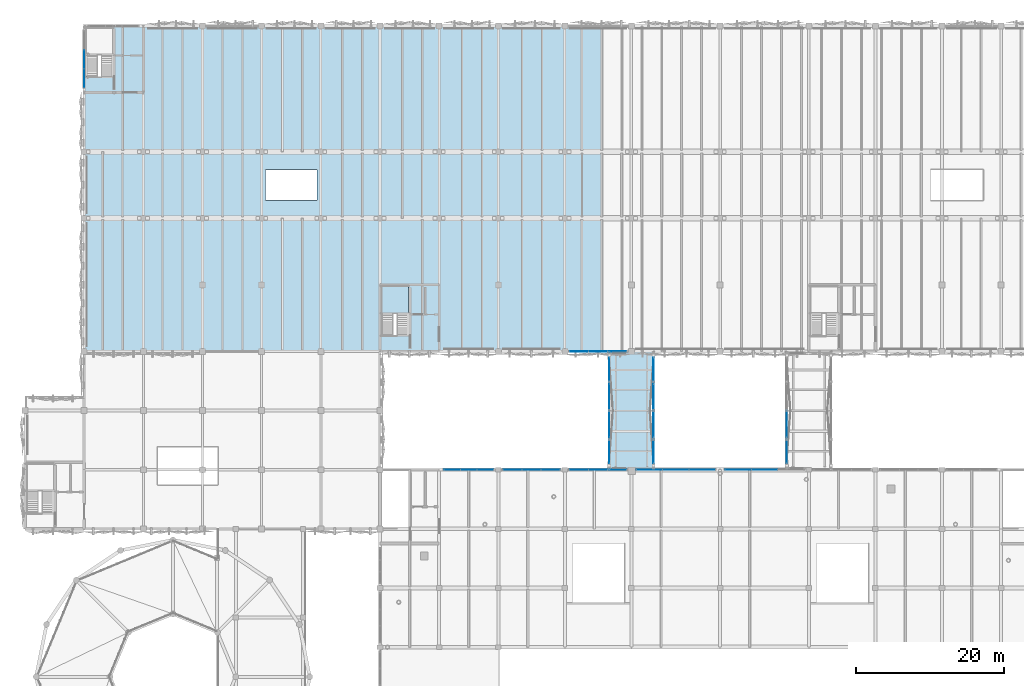
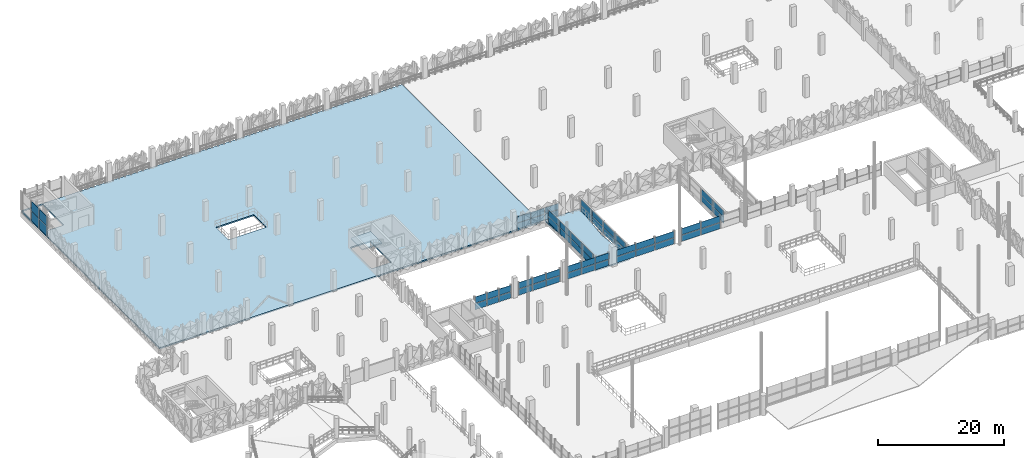
# One storey, part 62 of 123: 58 plates, 3 slabs, 11 elements without a shape of their own.
"""IFC4 building model written with IfcOpenShell, lengths in metres."""

from ifc_helpers import new_model, si_unit, derived_unit, direction, frame, origin, origin_2d, place, context, subcontext, project, spatial, polyline, rectangle, outline, extrude, material, layer, layer_set, type_object, element, aggregate, save


model = new_model("IFC4")

# Units and contexts
model_context = context("Model", 3, precision=1e-05, world=origin(), true_north=direction((0.0, 1.0)))
body_context = subcontext(model_context, "Body", "Model", "MODEL_VIEW")
ifc_project = project(units=[si_unit("LENGTHUNIT", "METRE"), si_unit("AREAUNIT", "SQUARE_METRE"), si_unit("VOLUMEUNIT", "CUBIC_METRE"), si_unit("PLANEANGLEUNIT", "RADIAN"), si_unit("MASSUNIT", "GRAM", prefix="KILO"), si_unit("THERMODYNAMICTEMPERATUREUNIT", "KELVIN"), derived_unit("THERMALTRANSMITTANCEUNIT", [(si_unit("POWERUNIT", "WATT"), 1), (si_unit("AREAUNIT", "SQUARE_METRE"), -1), (si_unit("THERMODYNAMICTEMPERATUREUNIT", "KELVIN"), -1)])], contexts=[model_context])

# Site, building, storey
site_placement = place(None, origin())
site = spatial("IfcSite", under=ifc_project, at=site_placement, CompositionType="ELEMENT")
building_placement = place(site_placement, origin())
building = spatial("IfcBuilding", under=site, at=building_placement, Name="Haiyu Intermodal Mobility Hub", CompositionType="ELEMENT")
storey_placement = place(building_placement, frame((0.0, 0.0, 5.60009765625)))
storey = spatial("IfcBuildingStorey", under=building, at=storey_placement, Name="L01", CompositionType="ELEMENT", Elevation=5.60009765625)

# Curtain wall, plates
ifc_material_1 = material(Name="Low-e laminated insulating glass", Category="glass")
ifc_layer_1 = layer(ifc_material_1, 0.25)
ifc_layer_set_1 = layer_set([ifc_layer_1], Name="Low-e laminated insulating glass")
curtain_wall_type_1 = type_object("IfcCurtainWallType", Name="CW-CW02", PredefinedType="NOTDEFINED", material=ifc_layer_set_1)
curtain_wall_1_placement = place(storey_placement, origin())
curtain_wall_1 = element("IfcCurtainWall", 1, at=curtain_wall_1_placement, inside=storey, type_object=curtain_wall_type_1, Name="Curtain Wall CW-V1N-L01-023", PredefinedType="NOTDEFINED")
ifc_layer_2 = layer(ifc_material_1, 0.035888671875)
ifc_layer_set_2 = layer_set([ifc_layer_2], Name="Low-e laminated insulating glass")
plate_type_1 = type_object("IfcPlateType", Name="PLT-CP01", PredefinedType="CURTAIN_PANEL", material=ifc_layer_set_2)
plate_1_placement = place(storey_placement, frame((85.06005859375, 88.0, 0.035400390625), z_axis=(0.0, 0.0, 1.0), x_axis=(-1.0, 0.0, 0.0)))
plate_1 = element("IfcPlate", 2, at=plate_1_placement, type_object=plate_type_1, Name="CW-V1N-L01-023-PN01", PredefinedType="CURTAIN_PANEL", context=body_context, shape_type="SweptSolid", body=[
    extrude(rectangle(XDim=2.469970703125, YDim=0.035888671875, at=origin_2d()), origin(), (0.0, 0.0, 1.0), 1.205078125),
])
plate_2_placement = place(storey_placement, frame((82.5, 88.0, 0.035400390625), z_axis=(0.0, 0.0, 1.0), x_axis=(-1.0, 0.0, 0.0)))
plate_2 = element("IfcPlate", 3, at=plate_2_placement, type_object=plate_type_1, Name="CW-V1N-L01-023-PN03", PredefinedType="CURTAIN_PANEL", context=body_context, shape_type="SweptSolid", body=[
    extrude(rectangle(XDim=2.469970703125, YDim=0.035888671875, at=origin_2d()), origin(), (0.0, 0.0, 1.0), 1.205078125),
])
plate_3_placement = place(storey_placement, frame((79.93994140625, 88.0, 0.035400390625), z_axis=(0.0, 0.0, 1.0), x_axis=(-1.0, 0.0, 0.0)))
plate_3 = element("IfcPlate", 4, at=plate_3_placement, type_object=plate_type_1, Name="CW-V1N-L01-023-PN05", PredefinedType="CURTAIN_PANEL", context=body_context, shape_type="SweptSolid", body=[
    extrude(rectangle(XDim=2.469970703125, YDim=0.035888671875, at=origin_2d()), origin(), (0.0, 0.0, 1.0), 1.205078125),
])

curtain_wall_2_placement = place(storey_placement, origin())
curtain_wall_2 = element("IfcCurtainWall", 5, at=curtain_wall_2_placement, inside=storey, type_object=curtain_wall_type_1, Name="Curtain Wall CW-V1N-L01-024", PredefinedType="NOTDEFINED")
plate_4_placement = place(storey_placement, frame((94.06005859375, 88.0, 0.035400390625), z_axis=(0.0, 0.0, 1.0), x_axis=(-1.0, 0.0, 0.0)))
plate_4 = element("IfcPlate", 6, at=plate_4_placement, type_object=plate_type_1, Name="CW-V1N-L01-024-PN01", PredefinedType="CURTAIN_PANEL", context=body_context, shape_type="SweptSolid", body=[
    extrude(rectangle(XDim=2.469970703125, YDim=0.035888671875, at=origin_2d()), origin(), (0.0, 0.0, 1.0), 1.205078125),
])
plate_5_placement = place(storey_placement, frame((91.5, 88.0, 0.035400390625), z_axis=(0.0, 0.0, 1.0), x_axis=(-1.0, 0.0, 0.0)))
plate_5 = element("IfcPlate", 7, at=plate_5_placement, type_object=plate_type_1, Name="CW-V1N-L01-024-PN03", PredefinedType="CURTAIN_PANEL", context=body_context, shape_type="SweptSolid", body=[
    extrude(rectangle(XDim=2.469970703125, YDim=0.035888671875, at=origin_2d()), origin(), (0.0, 0.0, 1.0), 1.205078125),
])
plate_6_placement = place(storey_placement, frame((88.93994140625, 88.0, 0.035400390625), z_axis=(0.0, 0.0, 1.0), x_axis=(-1.0, 0.0, 0.0)))
plate_6 = element("IfcPlate", 8, at=plate_6_placement, type_object=plate_type_1, Name="CW-V1N-L01-024-PN05", PredefinedType="CURTAIN_PANEL", context=body_context, shape_type="SweptSolid", body=[
    extrude(rectangle(XDim=2.469970703125, YDim=0.035888671875, at=origin_2d()), origin(), (0.0, 0.0, 1.0), 1.205078125),
])

curtain_wall_3_placement = place(storey_placement, origin())
curtain_wall_3 = element("IfcCurtainWall", 9, at=curtain_wall_3_placement, inside=storey, type_object=curtain_wall_type_1, Name="Curtain Wall CW-V4SC-L01-079", PredefinedType="NOTDEFINED")
plate_7_placement = place(storey_placement, frame((88.93994140625, 104.0, 0.034912109375), z_axis=(0.0, 0.0, 1.0), x_axis=(1.0, 0.0, 0.0)))
plate_7 = element("IfcPlate", 10, at=plate_7_placement, type_object=plate_type_1, Name="CW-V4SC-L01-079-PN01", PredefinedType="CURTAIN_PANEL", context=body_context, shape_type="SweptSolid", body=[
    extrude(rectangle(XDim=2.469970703125, YDim=0.035888671875, at=origin_2d()), origin(), (0.0, 0.0, 1.0), 1.169921875),
])
plate_8_placement = place(storey_placement, frame((91.5, 104.0, 0.034912109375), z_axis=(0.0, 0.0, 1.0), x_axis=(1.0, 0.0, 0.0)))
plate_8 = element("IfcPlate", 11, at=plate_8_placement, type_object=plate_type_1, Name="CW-V4SC-L01-079-PN03", PredefinedType="CURTAIN_PANEL", context=body_context, shape_type="SweptSolid", body=[
    extrude(rectangle(XDim=2.469970703125, YDim=0.035888671875, at=origin_2d()), origin(), (0.0, 0.0, 1.0), 1.169921875),
])
plate_9_placement = place(storey_placement, frame((94.06005859375, 104.0, 0.034912109375), z_axis=(0.0, 0.0, 1.0), x_axis=(1.0, 0.0, 0.0)))
plate_9 = element("IfcPlate", 12, at=plate_9_placement, type_object=plate_type_1, Name="CW-V4SC-L01-079-PN05", PredefinedType="CURTAIN_PANEL", context=body_context, shape_type="SweptSolid", body=[
    extrude(rectangle(XDim=2.469970703125, YDim=0.035888671875, at=origin_2d()), origin(), (0.0, 0.0, 1.0), 1.169921875),
])

curtain_wall_4_placement = place(storey_placement, origin())
curtain_wall_4 = element("IfcCurtainWall", 13, at=curtain_wall_4_placement, inside=storey, type_object=curtain_wall_type_1, Name="Curtain Wall CW-V1N-L01-022", PredefinedType="NOTDEFINED")
ifc_material_2 = material(Name="Anodised aluminium 6063-T6", Category="aluminium")
ifc_layer_3 = layer(ifc_material_2, 0.0419921875)
ifc_layer_set_3 = layer_set([ifc_layer_3], Name="Anodised aluminium 6063-T6")
plate_type_2 = type_object("IfcPlateType", Name="PLT-CP02", PredefinedType="CURTAIN_PANEL", material=ifc_layer_set_3)
plate_10_placement = place(storey_placement, frame((76.22705078125, 88.0, 0.035400390625), z_axis=(0.0, 0.0, 1.0), x_axis=(-1.0, 0.0, 0.0)))
plate_10 = element("IfcPlate", 14, at=plate_10_placement, type_object=plate_type_2, Name="CW-V1N-L01-022-PN01", PredefinedType="CURTAIN_PANEL", context=body_context, shape_type="SweptSolid", body=[
    extrude(rectangle(XDim=2.136962890625, YDim=0.0419921875, at=origin_2d()), origin(), (0.0, 0.0, 1.0), 1.205078125),
])
plate_11_placement = place(storey_placement, frame((74.0, 88.0, 0.035400390625), z_axis=(0.0, 0.0, 1.0), x_axis=(-1.0, 0.0, 0.0)))
plate_11 = element("IfcPlate", 15, at=plate_11_placement, type_object=plate_type_2, Name="CW-V1N-L01-022-PN03", PredefinedType="CURTAIN_PANEL", context=body_context, shape_type="SweptSolid", body=[
    extrude(rectangle(XDim=2.136962890625, YDim=0.0419921875, at=origin_2d()), origin(), (0.0, 0.0, 1.0), 1.205078125),
])
plate_12_placement = place(storey_placement, frame((71.77294921875, 88.0, 0.035400390625), z_axis=(0.0, 0.0, 1.0), x_axis=(-1.0, 0.0, 0.0)))
plate_12 = element("IfcPlate", 16, at=plate_12_placement, type_object=plate_type_2, Name="CW-V1N-L01-022-PN05", PredefinedType="CURTAIN_PANEL", context=body_context, shape_type="SweptSolid", body=[
    extrude(rectangle(XDim=2.136962890625, YDim=0.0419921875, at=origin_2d()), origin(), (0.0, 0.0, 1.0), 1.205078125),
])

curtain_wall_5_placement = place(storey_placement, origin())
curtain_wall_5 = element("IfcCurtainWall", 17, at=curtain_wall_5_placement, inside=storey, type_object=curtain_wall_type_1, Name="Curtain Wall CW-V1N-L01-026", PredefinedType="NOTDEFINED")
plate_13_placement = place(storey_placement, frame((105.56005859375, 88.0, 0.035400390625), z_axis=(0.0, 0.0, 1.0), x_axis=(-1.0, 0.0, 0.0)))
plate_13 = element("IfcPlate", 18, at=plate_13_placement, type_object=plate_type_2, Name="CW-V1N-L01-026-PN01", PredefinedType="CURTAIN_PANEL", context=body_context, shape_type="SweptSolid", body=[
    extrude(rectangle(XDim=3.469970703125, YDim=0.0419921875, at=origin_2d()), origin(), (0.0, 0.0, 1.0), 1.205078125),
])
plate_14_placement = place(storey_placement, frame((102.0, 88.0, 0.035400390625), z_axis=(0.0, 0.0, 1.0), x_axis=(-1.0, 0.0, 0.0)))
plate_14 = element("IfcPlate", 19, at=plate_14_placement, type_object=plate_type_2, Name="CW-V1N-L01-026-PN03", PredefinedType="CURTAIN_PANEL", context=body_context, shape_type="SweptSolid", body=[
    extrude(rectangle(XDim=3.469970703125, YDim=0.0419921875, at=origin_2d()), origin(), (0.0, 0.0, 1.0), 1.205078125),
])
plate_15_placement = place(storey_placement, frame((98.43994140625, 88.0, 0.035400390625), z_axis=(0.0, 0.0, 1.0), x_axis=(-1.0, 0.0, 0.0)))
plate_15 = element("IfcPlate", 20, at=plate_15_placement, type_object=plate_type_2, Name="CW-V1N-L01-026-PN05", PredefinedType="CURTAIN_PANEL", context=body_context, shape_type="SweptSolid", body=[
    extrude(rectangle(XDim=3.469970703125, YDim=0.0419921875, at=origin_2d()), origin(), (0.0, 0.0, 1.0), 1.205078125),
])

curtain_wall_6_placement = place(storey_placement, origin())
curtain_wall_6 = element("IfcCurtainWall", 21, at=curtain_wall_6_placement, inside=storey, type_object=curtain_wall_type_1, Name="Curtain Wall CW-V1N-L01-028", PredefinedType="NOTDEFINED")
plate_16_placement = place(storey_placement, frame((114.0, 88.0, 0.035400390625), z_axis=(0.0, 0.0, 1.0), x_axis=(-1.0, 0.0, 0.0)))
plate_16 = element("IfcPlate", 22, at=plate_16_placement, type_object=plate_type_2, Name="CW-V1N-L01-028-PN03", PredefinedType="CURTAIN_PANEL", context=body_context, shape_type="SweptSolid", body=[
    extrude(rectangle(XDim=3.469970703125, YDim=0.0419921875, at=origin_2d()), origin(), (0.0, 0.0, 1.0), 1.205078125),
])
plate_17_placement = place(storey_placement, frame((110.43994140625, 88.0, 0.035400390625), z_axis=(0.0, 0.0, 1.0), x_axis=(-1.0, 0.0, 0.0)))
plate_17 = element("IfcPlate", 23, at=plate_17_placement, type_object=plate_type_2, Name="CW-V1N-L01-028-PN05", PredefinedType="CURTAIN_PANEL", context=body_context, shape_type="SweptSolid", body=[
    extrude(rectangle(XDim=3.469970703125, YDim=0.0419921875, at=origin_2d()), origin(), (0.0, 0.0, 1.0), 1.205078125),
])

ifc_layer_4 = layer(ifc_material_1, 0.2099609375)
ifc_layer_set_4 = layer_set([ifc_layer_4], Name="Low-e laminated insulating glass")
curtain_wall_type_2 = type_object("IfcCurtainWallType", Name="CW-CW04", PredefinedType="NOTDEFINED", material=ifc_layer_set_4)
curtain_wall_7_placement = place(storey_placement, origin())
curtain_wall_7 = element("IfcCurtainWall", 24, at=curtain_wall_7_placement, inside=storey, type_object=curtain_wall_type_2, Name="Curtain Wall CW-BRG-BWW-L01-080", PredefinedType="NOTDEFINED")
plate_18_placement = place(storey_placement, frame((93.0, 90.6298828125, 0.034912109375), z_axis=(0.0, 0.0, 1.0), x_axis=(0.0, 1.0, 0.0)))
plate_18 = element("IfcPlate", 25, at=plate_18_placement, type_object=plate_type_2, Name="CW-BRG-BWW-L01-080-PN01", PredefinedType="CURTAIN_PANEL", context=body_context, shape_type="SweptSolid", body=[
    extrude(rectangle(XDim=3.489990234375, YDim=0.0419921875, at=origin_2d()), origin(), (0.0, 0.0, 1.0), 1.169921875),
])
plate_19_placement = place(storey_placement, frame((93.0, 94.2099609375, 0.034912109375), z_axis=(0.0, 0.0, 1.0), x_axis=(0.0, 1.0, 0.0)))
plate_19 = element("IfcPlate", 26, at=plate_19_placement, type_object=plate_type_2, Name="CW-BRG-BWW-L01-080-PN03", PredefinedType="CURTAIN_PANEL", context=body_context, shape_type="SweptSolid", body=[
    extrude(rectangle(XDim=3.489990234375, YDim=0.0419921875, at=origin_2d()), origin(), (0.0, 0.0, 1.0), 1.169921875),
])
plate_20_placement = place(storey_placement, frame((93.0, 97.7900390625, 0.034912109375), z_axis=(0.0, 0.0, 1.0), x_axis=(0.0, 1.0, 0.0)))
plate_20 = element("IfcPlate", 27, at=plate_20_placement, type_object=plate_type_2, Name="CW-BRG-BWW-L01-080-PN05", PredefinedType="CURTAIN_PANEL", context=body_context, shape_type="SweptSolid", body=[
    extrude(rectangle(XDim=3.489990234375, YDim=0.0419921875, at=origin_2d()), origin(), (0.0, 0.0, 1.0), 1.169921875),
])
plate_21_placement = place(storey_placement, frame((93.0, 101.3701171875, 0.034912109375), z_axis=(0.0, 0.0, 1.0), x_axis=(0.0, 1.0, 0.0)))
plate_21 = element("IfcPlate", 28, at=plate_21_placement, type_object=plate_type_2, Name="CW-BRG-BWW-L01-080-PN07", PredefinedType="CURTAIN_PANEL", context=body_context, shape_type="SweptSolid", body=[
    extrude(rectangle(XDim=3.489990234375, YDim=0.0419921875, at=origin_2d()), origin(), (0.0, 0.0, 1.0), 1.169921875),
])

curtain_wall_8_placement = place(storey_placement, origin())
curtain_wall_8 = element("IfcCurtainWall", 29, at=curtain_wall_8_placement, inside=storey, type_object=curtain_wall_type_2, Name="Curtain Wall CW-BRG-BWE-L01-081", PredefinedType="NOTDEFINED")
plate_22_placement = place(storey_placement, frame((99.0, 90.6298828125, 0.034912109375), z_axis=(0.0, 0.0, 1.0), x_axis=(0.0, 1.0, 0.0)))
plate_22 = element("IfcPlate", 30, at=plate_22_placement, type_object=plate_type_2, Name="CW-BRG-BWE-L01-081-PN01", PredefinedType="CURTAIN_PANEL", context=body_context, shape_type="SweptSolid", body=[
    extrude(rectangle(XDim=3.489990234375, YDim=0.0419921875, at=origin_2d()), origin(), (0.0, 0.0, 1.0), 1.169921875),
])
plate_23_placement = place(storey_placement, frame((99.0, 94.2099609375, 0.034912109375), z_axis=(0.0, 0.0, 1.0), x_axis=(0.0, 1.0, 0.0)))
plate_23 = element("IfcPlate", 31, at=plate_23_placement, type_object=plate_type_2, Name="CW-BRG-BWE-L01-081-PN03", PredefinedType="CURTAIN_PANEL", context=body_context, shape_type="SweptSolid", body=[
    extrude(rectangle(XDim=3.489990234375, YDim=0.0419921875, at=origin_2d()), origin(), (0.0, 0.0, 1.0), 1.169921875),
])
plate_24_placement = place(storey_placement, frame((99.0, 97.7900390625, 0.034912109375), z_axis=(0.0, 0.0, 1.0), x_axis=(0.0, 1.0, 0.0)))
plate_24 = element("IfcPlate", 32, at=plate_24_placement, type_object=plate_type_2, Name="CW-BRG-BWE-L01-081-PN05", PredefinedType="CURTAIN_PANEL", context=body_context, shape_type="SweptSolid", body=[
    extrude(rectangle(XDim=3.489990234375, YDim=0.0419921875, at=origin_2d()), origin(), (0.0, 0.0, 1.0), 1.169921875),
])
plate_25_placement = place(storey_placement, frame((99.0, 101.3701171875, 0.034912109375), z_axis=(0.0, 0.0, 1.0), x_axis=(0.0, 1.0, 0.0)))
plate_25 = element("IfcPlate", 33, at=plate_25_placement, type_object=plate_type_2, Name="CW-BRG-BWE-L01-081-PN07", PredefinedType="CURTAIN_PANEL", context=body_context, shape_type="SweptSolid", body=[
    extrude(rectangle(XDim=3.489990234375, YDim=0.0419921875, at=origin_2d()), origin(), (0.0, 0.0, 1.0), 1.169921875),
])

curtain_wall_9_placement = place(storey_placement, origin())
curtain_wall_9 = element("IfcCurtainWall", 34, at=curtain_wall_9_placement, inside=storey, type_object=curtain_wall_type_2, Name="Curtain Wall CW-BRG-BEW-L01-082", PredefinedType="NOTDEFINED")
plate_26_placement = place(storey_placement, frame((117.0, 90.6298828125, 0.034912109375), z_axis=(0.0, 0.0, 1.0), x_axis=(0.0, 1.0, 0.0)))
plate_26 = element("IfcPlate", 35, at=plate_26_placement, type_object=plate_type_2, Name="CW-BRG-BEW-L01-082-PN01", PredefinedType="CURTAIN_PANEL", context=body_context, shape_type="SweptSolid", body=[
    extrude(rectangle(XDim=3.489990234375, YDim=0.0419921875, at=origin_2d()), origin(), (0.0, 0.0, 1.0), 1.169921875),
])
plate_27_placement = place(storey_placement, frame((117.0, 94.2099609375, 0.034912109375), z_axis=(0.0, 0.0, 1.0), x_axis=(0.0, 1.0, 0.0)))
plate_27 = element("IfcPlate", 36, at=plate_27_placement, type_object=plate_type_2, Name="CW-BRG-BEW-L01-082-PN03", PredefinedType="CURTAIN_PANEL", context=body_context, shape_type="SweptSolid", body=[
    extrude(rectangle(XDim=3.489990234375, YDim=0.0419921875, at=origin_2d()), origin(), (0.0, 0.0, 1.0), 1.169921875),
])

ifc_layer_5 = layer(ifc_material_1, 0.199951171875)
ifc_layer_set_5 = layer_set([ifc_layer_5], Name="Low-e laminated insulating glass")
curtain_wall_type_3 = type_object("IfcCurtainWallType", Name="CW-CW03", PredefinedType="NOTDEFINED", material=ifc_layer_set_5)
curtain_wall_10_placement = place(storey_placement, origin())
curtain_wall_10 = element("IfcCurtainWall", 37, at=curtain_wall_10_placement, inside=storey, type_object=curtain_wall_type_3, Name="Curtain Wall CW-C3S-L01-052", PredefinedType="NOTDEFINED")
ifc_layer_6 = layer(ifc_material_1, 0.0400390625)
ifc_layer_set_6 = layer_set([ifc_layer_6], Name="Low-e laminated insulating glass")
plate_type_3 = type_object("IfcPlateType", Name="PLT-CP03", PredefinedType="CURTAIN_PANEL", material=ifc_layer_set_6)
plate_28_placement = place(storey_placement, frame((22.0, 143.5, 0.03466796875), z_axis=(0.0, 0.0, 1.0), x_axis=(0.0, -1.0, 0.0)))
plate_28 = element("IfcPlate", 38, at=plate_28_placement, type_object=plate_type_3, Name="CW-C3S-L01-052-PN03", PredefinedType="CURTAIN_PANEL", context=body_context, shape_type="SweptSolid", body=[
    extrude(rectangle(XDim=2.469970703125, YDim=0.0400390625, at=origin_2d()), origin(), (0.0, 0.0, 1.0), 1.840087890625),
])
plate_29_placement = place(storey_placement, frame((22.0, 140.93994140625, 0.03466796875), z_axis=(0.0, 0.0, 1.0), x_axis=(0.0, -1.0, 0.0)))
plate_29 = element("IfcPlate", 39, at=plate_29_placement, type_object=plate_type_3, Name="CW-C3S-L01-052-PN05", PredefinedType="CURTAIN_PANEL", context=body_context, shape_type="SweptSolid", body=[
    extrude(rectangle(XDim=2.469970703125, YDim=0.0400390625, at=origin_2d()), origin(), (0.0, 0.0, 1.0), 1.840087890625),
])

# Plate
ifc_layer_7 = layer(ifc_material_1, 0.0439453125)
ifc_layer_set_7 = layer_set([ifc_layer_7], Name="Low-e laminated insulating glass")
plate_type_4 = type_object("IfcPlateType", Name="PLT-CP04", PredefinedType="CURTAIN_PANEL", material=ifc_layer_set_7)
plate_30_placement = place(storey_placement, frame((76.22705078125, 88.0, 1.309326171875), z_axis=(0.0, 0.0, 1.0), x_axis=(-1.0, 0.0, 0.0)))
plate_30 = element("IfcPlate", 40, at=plate_30_placement, type_object=plate_type_4, Name="CW-V1N-L01-022-PN02", PredefinedType="CURTAIN_PANEL", context=body_context, shape_type="SweptSolid", body=[
    extrude(rectangle(XDim=2.136962890625, YDim=0.0439453125, at=origin_2d()), origin(), (0.0, 0.0, 1.0), 1.205078125),
])

plate_31_placement = place(storey_placement, frame((74.0, 88.0, 1.309326171875), z_axis=(0.0, 0.0, 1.0), x_axis=(-1.0, 0.0, 0.0)))
plate_31 = element("IfcPlate", 41, at=plate_31_placement, type_object=plate_type_4, Name="CW-V1N-L01-022-PN04", PredefinedType="CURTAIN_PANEL", context=body_context, shape_type="SweptSolid", body=[
    extrude(rectangle(XDim=2.136962890625, YDim=0.0439453125, at=origin_2d()), origin(), (0.0, 0.0, 1.0), 1.205078125),
])

plate_32_placement = place(storey_placement, frame((71.77294921875, 88.0, 1.309326171875), z_axis=(0.0, 0.0, 1.0), x_axis=(-1.0, 0.0, 0.0)))
plate_32 = element("IfcPlate", 42, at=plate_32_placement, type_object=plate_type_4, Name="CW-V1N-L01-022-PN06", PredefinedType="CURTAIN_PANEL", context=body_context, shape_type="SweptSolid", body=[
    extrude(rectangle(XDim=2.136962890625, YDim=0.0439453125, at=origin_2d()), origin(), (0.0, 0.0, 1.0), 1.205078125),
])

aggregate(curtain_wall_4, [plate_10, plate_30, plate_11, plate_31, plate_12, plate_32])

plate_33_placement = place(storey_placement, frame((85.06005859375, 88.0, 1.309326171875), z_axis=(0.0, 0.0, 1.0), x_axis=(-1.0, 0.0, 0.0)))
plate_33 = element("IfcPlate", 43, at=plate_33_placement, type_object=plate_type_4, Name="CW-V1N-L01-023-PN02", PredefinedType="CURTAIN_PANEL", context=body_context, shape_type="SweptSolid", body=[
    extrude(rectangle(XDim=2.469970703125, YDim=0.0439453125, at=origin_2d()), origin(), (0.0, 0.0, 1.0), 1.205078125),
])

plate_34_placement = place(storey_placement, frame((82.5, 88.0, 1.309326171875), z_axis=(0.0, 0.0, 1.0), x_axis=(-1.0, 0.0, 0.0)))
plate_34 = element("IfcPlate", 44, at=plate_34_placement, type_object=plate_type_4, Name="CW-V1N-L01-023-PN04", PredefinedType="CURTAIN_PANEL", context=body_context, shape_type="SweptSolid", body=[
    extrude(rectangle(XDim=2.469970703125, YDim=0.0439453125, at=origin_2d()), origin(), (0.0, 0.0, 1.0), 1.205078125),
])

plate_35_placement = place(storey_placement, frame((79.93994140625, 88.0, 1.309326171875), z_axis=(0.0, 0.0, 1.0), x_axis=(-1.0, 0.0, 0.0)))
plate_35 = element("IfcPlate", 45, at=plate_35_placement, type_object=plate_type_4, Name="CW-V1N-L01-023-PN06", PredefinedType="CURTAIN_PANEL", context=body_context, shape_type="SweptSolid", body=[
    extrude(rectangle(XDim=2.469970703125, YDim=0.0439453125, at=origin_2d()), origin(), (0.0, 0.0, 1.0), 1.205078125),
])

aggregate(curtain_wall_1, [plate_1, plate_33, plate_2, plate_34, plate_3, plate_35])

plate_36_placement = place(storey_placement, frame((94.06005859375, 88.0, 1.309326171875), z_axis=(0.0, 0.0, 1.0), x_axis=(-1.0, 0.0, 0.0)))
plate_36 = element("IfcPlate", 46, at=plate_36_placement, type_object=plate_type_4, Name="CW-V1N-L01-024-PN02", PredefinedType="CURTAIN_PANEL", context=body_context, shape_type="SweptSolid", body=[
    extrude(rectangle(XDim=2.469970703125, YDim=0.0439453125, at=origin_2d()), origin(), (0.0, 0.0, 1.0), 1.205078125),
])

plate_37_placement = place(storey_placement, frame((91.5, 88.0, 1.309326171875), z_axis=(0.0, 0.0, 1.0), x_axis=(-1.0, 0.0, 0.0)))
plate_37 = element("IfcPlate", 47, at=plate_37_placement, type_object=plate_type_4, Name="CW-V1N-L01-024-PN04", PredefinedType="CURTAIN_PANEL", context=body_context, shape_type="SweptSolid", body=[
    extrude(rectangle(XDim=2.469970703125, YDim=0.0439453125, at=origin_2d()), origin(), (0.0, 0.0, 1.0), 1.205078125),
])

plate_38_placement = place(storey_placement, frame((88.93994140625, 88.0, 1.309326171875), z_axis=(0.0, 0.0, 1.0), x_axis=(-1.0, 0.0, 0.0)))
plate_38 = element("IfcPlate", 48, at=plate_38_placement, type_object=plate_type_4, Name="CW-V1N-L01-024-PN06", PredefinedType="CURTAIN_PANEL", context=body_context, shape_type="SweptSolid", body=[
    extrude(rectangle(XDim=2.469970703125, YDim=0.0439453125, at=origin_2d()), origin(), (0.0, 0.0, 1.0), 1.205078125),
])

aggregate(curtain_wall_2, [plate_4, plate_36, plate_5, plate_37, plate_6, plate_38])

plate_39_placement = place(storey_placement, frame((105.56005859375, 88.0, 1.309326171875), z_axis=(0.0, 0.0, 1.0), x_axis=(-1.0, 0.0, 0.0)))
plate_39 = element("IfcPlate", 49, at=plate_39_placement, type_object=plate_type_4, Name="CW-V1N-L01-026-PN02", PredefinedType="CURTAIN_PANEL", context=body_context, shape_type="SweptSolid", body=[
    extrude(rectangle(XDim=3.469970703125, YDim=0.0439453125, at=origin_2d()), origin(), (0.0, 0.0, 1.0), 1.205078125),
])

plate_40_placement = place(storey_placement, frame((102.0, 88.0, 1.309326171875), z_axis=(0.0, 0.0, 1.0), x_axis=(-1.0, 0.0, 0.0)))
plate_40 = element("IfcPlate", 50, at=plate_40_placement, type_object=plate_type_4, Name="CW-V1N-L01-026-PN04", PredefinedType="CURTAIN_PANEL", context=body_context, shape_type="SweptSolid", body=[
    extrude(rectangle(XDim=3.469970703125, YDim=0.0439453125, at=origin_2d()), origin(), (0.0, 0.0, 1.0), 1.205078125),
])

plate_41_placement = place(storey_placement, frame((98.43994140625, 88.0, 1.309326171875), z_axis=(0.0, 0.0, 1.0), x_axis=(-1.0, 0.0, 0.0)))
plate_41 = element("IfcPlate", 51, at=plate_41_placement, type_object=plate_type_4, Name="CW-V1N-L01-026-PN06", PredefinedType="CURTAIN_PANEL", context=body_context, shape_type="SweptSolid", body=[
    extrude(rectangle(XDim=3.469970703125, YDim=0.0439453125, at=origin_2d()), origin(), (0.0, 0.0, 1.0), 1.205078125),
])

aggregate(curtain_wall_5, [plate_13, plate_39, plate_14, plate_40, plate_15, plate_41])

plate_42_placement = place(storey_placement, frame((114.0, 88.0, 1.309326171875), z_axis=(0.0, 0.0, 1.0), x_axis=(-1.0, 0.0, 0.0)))
plate_42 = element("IfcPlate", 52, at=plate_42_placement, type_object=plate_type_4, Name="CW-V1N-L01-028-PN04", PredefinedType="CURTAIN_PANEL", context=body_context, shape_type="SweptSolid", body=[
    extrude(rectangle(XDim=3.469970703125, YDim=0.0439453125, at=origin_2d()), origin(), (0.0, 0.0, 1.0), 1.205078125),
])

plate_43_placement = place(storey_placement, frame((110.43994140625, 88.0, 1.309326171875), z_axis=(0.0, 0.0, 1.0), x_axis=(-1.0, 0.0, 0.0)))
plate_43 = element("IfcPlate", 53, at=plate_43_placement, type_object=plate_type_4, Name="CW-V1N-L01-028-PN06", PredefinedType="CURTAIN_PANEL", context=body_context, shape_type="SweptSolid", body=[
    extrude(rectangle(XDim=3.469970703125, YDim=0.0439453125, at=origin_2d()), origin(), (0.0, 0.0, 1.0), 1.205078125),
])

aggregate(curtain_wall_6, [plate_16, plate_42, plate_17, plate_43])

plate_44_placement = place(storey_placement, frame((22.0, 143.5, 1.94482421875), z_axis=(0.0, 0.0, 1.0), x_axis=(0.0, -1.0, 0.0)))
plate_44 = element("IfcPlate", 54, at=plate_44_placement, type_object=plate_type_4, Name="CW-C3S-L01-052-PN04", PredefinedType="CURTAIN_PANEL", context=body_context, shape_type="SweptSolid", body=[
    extrude(rectangle(XDim=2.469970703125, YDim=0.0439453125, at=origin_2d()), origin(), (0.0, 0.0, 1.0), 1.840087890625),
])

plate_45_placement = place(storey_placement, frame((22.0, 140.93994140625, 1.94482421875), z_axis=(0.0, 0.0, 1.0), x_axis=(0.0, -1.0, 0.0)))
plate_45 = element("IfcPlate", 55, at=plate_45_placement, type_object=plate_type_4, Name="CW-C3S-L01-052-PN06", PredefinedType="CURTAIN_PANEL", context=body_context, shape_type="SweptSolid", body=[
    extrude(rectangle(XDim=2.469970703125, YDim=0.0439453125, at=origin_2d()), origin(), (0.0, 0.0, 1.0), 1.840087890625),
])

aggregate(curtain_wall_10, [plate_28, plate_44, plate_29, plate_45])

plate_46_placement = place(storey_placement, frame((88.93994140625, 104.0, 1.27490234375), z_axis=(0.0, 0.0, 1.0), x_axis=(1.0, 0.0, 0.0)))
plate_46 = element("IfcPlate", 56, at=plate_46_placement, type_object=plate_type_4, Name="CW-V4SC-L01-079-PN02", PredefinedType="CURTAIN_PANEL", context=body_context, shape_type="SweptSolid", body=[
    extrude(rectangle(XDim=2.469970703125, YDim=0.0439453125, at=origin_2d()), origin(), (0.0, 0.0, 1.0), 1.169921875),
])

plate_47_placement = place(storey_placement, frame((91.5, 104.0, 1.27490234375), z_axis=(0.0, 0.0, 1.0), x_axis=(1.0, 0.0, 0.0)))
plate_47 = element("IfcPlate", 57, at=plate_47_placement, type_object=plate_type_4, Name="CW-V4SC-L01-079-PN04", PredefinedType="CURTAIN_PANEL", context=body_context, shape_type="SweptSolid", body=[
    extrude(rectangle(XDim=2.469970703125, YDim=0.0439453125, at=origin_2d()), origin(), (0.0, 0.0, 1.0), 1.169921875),
])

plate_48_placement = place(storey_placement, frame((94.06005859375, 104.0, 1.27490234375), z_axis=(0.0, 0.0, 1.0), x_axis=(1.0, 0.0, 0.0)))
plate_48 = element("IfcPlate", 58, at=plate_48_placement, type_object=plate_type_4, Name="CW-V4SC-L01-079-PN06", PredefinedType="CURTAIN_PANEL", context=body_context, shape_type="SweptSolid", body=[
    extrude(rectangle(XDim=2.469970703125, YDim=0.0439453125, at=origin_2d()), origin(), (0.0, 0.0, 1.0), 1.169921875),
])

aggregate(curtain_wall_3, [plate_7, plate_46, plate_8, plate_47, plate_9, plate_48])

plate_49_placement = place(storey_placement, frame((93.0, 90.6298828125, 1.27490234375), z_axis=(0.0, 0.0, 1.0), x_axis=(0.0, 1.0, 0.0)))
plate_49 = element("IfcPlate", 59, at=plate_49_placement, type_object=plate_type_4, Name="CW-BRG-BWW-L01-080-PN02", PredefinedType="CURTAIN_PANEL", context=body_context, shape_type="SweptSolid", body=[
    extrude(rectangle(XDim=3.489990234375, YDim=0.0439453125, at=origin_2d()), origin(), (0.0, 0.0, 1.0), 1.169921875),
])

plate_50_placement = place(storey_placement, frame((93.0, 94.2099609375, 1.27490234375), z_axis=(0.0, 0.0, 1.0), x_axis=(0.0, 1.0, 0.0)))
plate_50 = element("IfcPlate", 60, at=plate_50_placement, type_object=plate_type_4, Name="CW-BRG-BWW-L01-080-PN04", PredefinedType="CURTAIN_PANEL", context=body_context, shape_type="SweptSolid", body=[
    extrude(rectangle(XDim=3.489990234375, YDim=0.0439453125, at=origin_2d()), origin(), (0.0, 0.0, 1.0), 1.169921875),
])

plate_51_placement = place(storey_placement, frame((93.0, 97.7900390625, 1.27490234375), z_axis=(0.0, 0.0, 1.0), x_axis=(0.0, 1.0, 0.0)))
plate_51 = element("IfcPlate", 61, at=plate_51_placement, type_object=plate_type_4, Name="CW-BRG-BWW-L01-080-PN06", PredefinedType="CURTAIN_PANEL", context=body_context, shape_type="SweptSolid", body=[
    extrude(rectangle(XDim=3.489990234375, YDim=0.0439453125, at=origin_2d()), origin(), (0.0, 0.0, 1.0), 1.169921875),
])

plate_52_placement = place(storey_placement, frame((93.0, 101.3701171875, 1.27490234375), z_axis=(0.0, 0.0, 1.0), x_axis=(0.0, 1.0, 0.0)))
plate_52 = element("IfcPlate", 62, at=plate_52_placement, type_object=plate_type_4, Name="CW-BRG-BWW-L01-080-PN08", PredefinedType="CURTAIN_PANEL", context=body_context, shape_type="SweptSolid", body=[
    extrude(rectangle(XDim=3.489990234375, YDim=0.0439453125, at=origin_2d()), origin(), (0.0, 0.0, 1.0), 1.169921875),
])

aggregate(curtain_wall_7, [plate_18, plate_49, plate_19, plate_50, plate_20, plate_51, plate_21, plate_52])

plate_53_placement = place(storey_placement, frame((99.0, 90.6298828125, 1.27490234375), z_axis=(0.0, 0.0, 1.0), x_axis=(0.0, 1.0, 0.0)))
plate_53 = element("IfcPlate", 63, at=plate_53_placement, type_object=plate_type_4, Name="CW-BRG-BWE-L01-081-PN02", PredefinedType="CURTAIN_PANEL", context=body_context, shape_type="SweptSolid", body=[
    extrude(rectangle(XDim=3.489990234375, YDim=0.0439453125, at=origin_2d()), origin(), (0.0, 0.0, 1.0), 1.169921875),
])

plate_54_placement = place(storey_placement, frame((99.0, 94.2099609375, 1.27490234375), z_axis=(0.0, 0.0, 1.0), x_axis=(0.0, 1.0, 0.0)))
plate_54 = element("IfcPlate", 64, at=plate_54_placement, type_object=plate_type_4, Name="CW-BRG-BWE-L01-081-PN04", PredefinedType="CURTAIN_PANEL", context=body_context, shape_type="SweptSolid", body=[
    extrude(rectangle(XDim=3.489990234375, YDim=0.0439453125, at=origin_2d()), origin(), (0.0, 0.0, 1.0), 1.169921875),
])

plate_55_placement = place(storey_placement, frame((99.0, 97.7900390625, 1.27490234375), z_axis=(0.0, 0.0, 1.0), x_axis=(0.0, 1.0, 0.0)))
plate_55 = element("IfcPlate", 65, at=plate_55_placement, type_object=plate_type_4, Name="CW-BRG-BWE-L01-081-PN06", PredefinedType="CURTAIN_PANEL", context=body_context, shape_type="SweptSolid", body=[
    extrude(rectangle(XDim=3.489990234375, YDim=0.0439453125, at=origin_2d()), origin(), (0.0, 0.0, 1.0), 1.169921875),
])

plate_56_placement = place(storey_placement, frame((99.0, 101.3701171875, 1.27490234375), z_axis=(0.0, 0.0, 1.0), x_axis=(0.0, 1.0, 0.0)))
plate_56 = element("IfcPlate", 66, at=plate_56_placement, type_object=plate_type_4, Name="CW-BRG-BWE-L01-081-PN08", PredefinedType="CURTAIN_PANEL", context=body_context, shape_type="SweptSolid", body=[
    extrude(rectangle(XDim=3.489990234375, YDim=0.0439453125, at=origin_2d()), origin(), (0.0, 0.0, 1.0), 1.169921875),
])

aggregate(curtain_wall_8, [plate_22, plate_53, plate_23, plate_54, plate_24, plate_55, plate_25, plate_56])

plate_57_placement = place(storey_placement, frame((117.0, 90.6298828125, 1.27490234375), z_axis=(0.0, 0.0, 1.0), x_axis=(0.0, 1.0, 0.0)))
plate_57 = element("IfcPlate", 67, at=plate_57_placement, type_object=plate_type_4, Name="CW-BRG-BEW-L01-082-PN02", PredefinedType="CURTAIN_PANEL", context=body_context, shape_type="SweptSolid", body=[
    extrude(rectangle(XDim=3.489990234375, YDim=0.0439453125, at=origin_2d()), origin(), (0.0, 0.0, 1.0), 1.169921875),
])

plate_58_placement = place(storey_placement, frame((117.0, 94.2099609375, 1.27490234375), z_axis=(0.0, 0.0, 1.0), x_axis=(0.0, 1.0, 0.0)))
plate_58 = element("IfcPlate", 68, at=plate_58_placement, type_object=plate_type_4, Name="CW-BRG-BEW-L01-082-PN04", PredefinedType="CURTAIN_PANEL", context=body_context, shape_type="SweptSolid", body=[
    extrude(rectangle(XDim=3.489990234375, YDim=0.0439453125, at=origin_2d()), origin(), (0.0, 0.0, 1.0), 1.169921875),
])

aggregate(curtain_wall_9, [plate_26, plate_57, plate_27, plate_58])

# Slabs
ifc_material_3 = material(Name="Concrete C40", Category="concrete")
ifc_layer_8 = layer(ifc_material_3, 0.219970703125)
ifc_layer_set_8 = layer_set([ifc_layer_8], Name="Concrete C40")
slab_type_1 = type_object("IfcSlabType", Name="SLB-SL04", PredefinedType="FLOOR", material=ifc_layer_set_8)
slab_1_placement = place(storey_placement, frame((0.0, 0.0, -0.26513671875)))
element("IfcSlab", 69, at=slab_1_placement, inside=storey, type_object=slab_type_1, Name="L01 Precast Parking West Deck", PredefinedType="FLOOR", context=body_context, shape_type="SweptSolid", body=[
    extrude(outline(polyline([(22.0, 104.0), (91.97998046875, 104.0), (91.97998046875, 148.0), (22.0, 148.0), (22.0, 104.0)]), holes=[polyline([(22.219970703125, 141.14990234375), (25.85009765625, 141.14990234375), (25.85009765625, 147.949951171875), (22.219970703125, 147.949951171875), (22.219970703125, 141.14990234375)]), polyline([(62.219970703125, 106.14990234375), (65.85009765625, 106.14990234375), (65.85009765625, 112.949951171875), (62.219970703125, 112.949951171875), (62.219970703125, 106.14990234375)]), polyline([(46.5, 124.5), (53.5, 124.5), (53.5, 128.5), (46.5, 128.5), (46.5, 124.5)])]), origin(), (0.0, 0.0, 1.0), 0.26513671875),
])
ifc_layer_9 = layer(ifc_material_3, 0.22998046875)
ifc_layer_set_9 = layer_set([ifc_layer_9], Name="Concrete C40")
slab_type_2 = type_object("IfcSlabType", Name="SLB-SL10", PredefinedType="FLOOR", material=ifc_layer_set_9)
slab_2_placement = place(storey_placement, frame((0.0, 0.0, -0.260009765625)))
element("IfcSlab", 70, at=slab_2_placement, inside=storey, type_object=slab_type_2, Name="L01 Elevated Court Link Bridge BW", PredefinedType="FLOOR", context=body_context, shape_type="SweptSolid", body=[
    extrude(outline(polyline([(92.800048828125, 88.02001953125), (99.199951171875, 88.02001953125), (98.60009765625, 96.0), (99.199951171875, 103.97998046875), (92.800048828125, 103.97998046875), (93.39990234375, 96.0), (92.800048828125, 88.02001953125)])), origin(), (0.0, 0.0, 1.0), 0.260009765625),
])

# Stair, slab
stair_type = type_object("IfcStairType", Name="STR-ST02", PredefinedType="HALF_TURN_STAIR", material=ifc_material_3)
stair_placement = place(storey_placement, origin())
stair = element("IfcStair", 71, at=stair_placement, inside=storey, type_object=stair_type, Name="Exit Stair ST01 L01", PredefinedType="HALF_TURN_STAIR")
ifc_layer_10 = layer(ifc_material_3, 0.2099609375)
ifc_layer_set_10 = layer_set([ifc_layer_10], Name="Concrete C40")
slab_type_3 = type_object("IfcSlabType", Name="SLB-SL13", PredefinedType="LANDING", material=ifc_layer_set_10)
slab_3_placement = place(storey_placement, frame((0.0, 0.0, 1.739990234375)))
slab_3 = element("IfcSlab", 72, at=slab_3_placement, type_object=slab_type_3, Name="Stair Half-Landing STR-C5-L01-LND", PredefinedType="LANDING", context=body_context, shape_type="SweptSolid", body=[
    extrude(outline(polyline([(62.219970703125, 109.1298828125), (65.8701171875, 109.1298828125), (65.8701171875, 112.780029296875), (62.219970703125, 112.780029296875), (62.219970703125, 109.1298828125)])), origin(), (0.0, 0.0, 1.0), 0.2099609375),
])
aggregate(stair, [slab_3])

save(model, "model.ifc")
